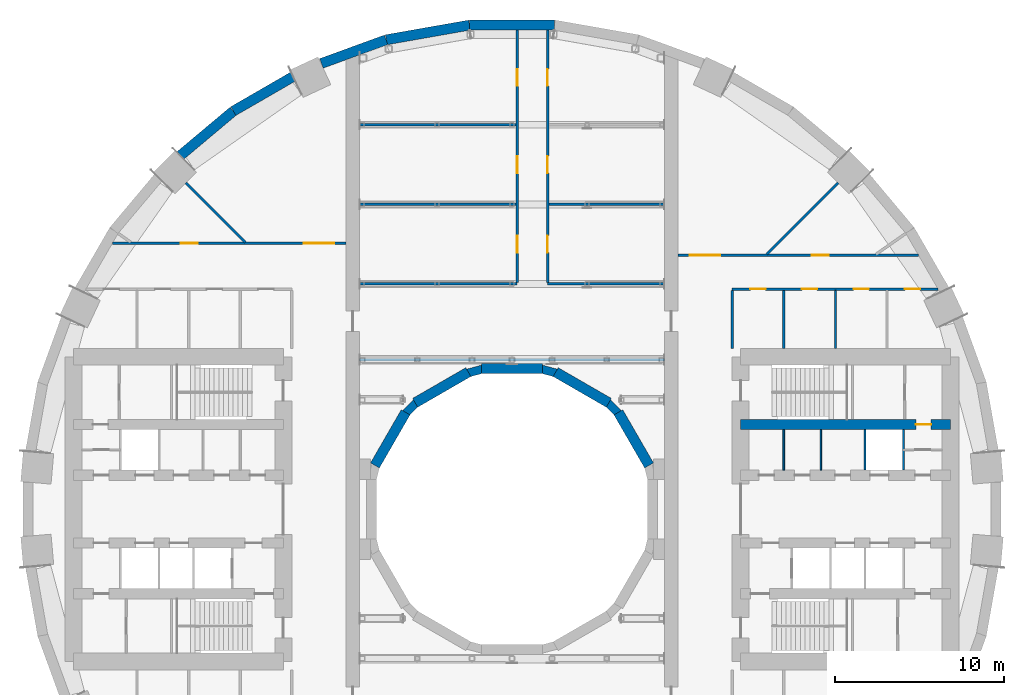
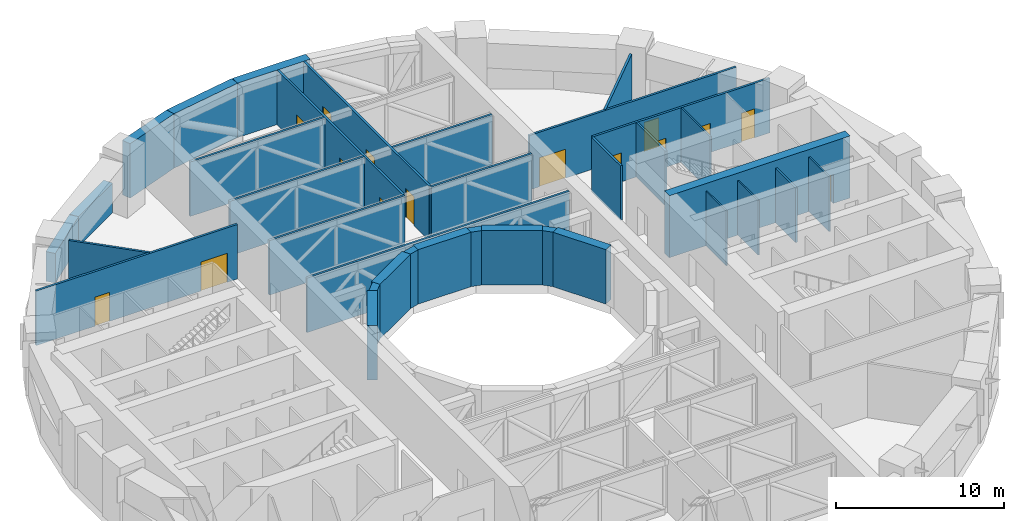
# One storey, part 17 of 21: 35 walls, 15 doors, 15 openings.
"""IFC4 building model written with IfcOpenShell, lengths in metres."""

from ifc_helpers import new_model, si_unit, direction, frame, frame_2d, origin, place, context, subcontext, project, spatial, polyline, rectangle, outline, extrude, material, layer, layer_set, type_object, element, fill, save


model = new_model("IFC4")

# Units and contexts
model_context = context("Model", 3, precision=1e-05, world=origin(), true_north=direction((0.0, 1.0)))
body_context = subcontext(model_context, "Body", "Model", "MODEL_VIEW")
ifc_project = project(units=[si_unit("LENGTHUNIT", "METRE"), si_unit("AREAUNIT", "SQUARE_METRE"), si_unit("VOLUMEUNIT", "CUBIC_METRE"), si_unit("PLANEANGLEUNIT", "RADIAN"), si_unit("MASSUNIT", "GRAM", prefix="KILO")], contexts=[model_context])

# Site, building, storey
site_placement = place(None, origin())
site = spatial("IfcSite", under=ifc_project, at=site_placement, CompositionType="ELEMENT")
building_placement = place(site_placement, origin())
building = spatial("IfcBuilding", under=site, at=building_placement, Name="Saqina Gate Tower", CompositionType="ELEMENT")
storey_placement = place(building_placement, frame((0.0, 0.0, 21.800048828125)))
storey = spatial("IfcBuildingStorey", under=building, at=storey_placement, Name="L05", CompositionType="ELEMENT", Elevation=21.800048828125)

# Walls
ifc_material_1 = material(Name="Gypsum board on steel studs", Category="steel")
ifc_layer_1 = layer(ifc_material_1, 0.10009765625)
ifc_layer_set_1 = layer_set([ifc_layer_1], Name="CORE PARTITION")
wall_type_1 = type_object("IfcWallType", Name="CORE PARTITION", PredefinedType="PARTITIONING", material=ifc_layer_set_1)
for number, where, z_axis, x_axis, name in (
    (1, (16.052001953125, 2.300048828125, 0.0), (0.0, 0.0, 1.0), (0.0, 1.0, 0.0), "L05-CP-E01"),
    (2, (18.24072265625, 2.300048828125, 0.0), (0.0, 0.0, 1.0), (0.0, 1.0, 0.0), "L05-CP-E02"),
):
    element("IfcWall", number, at=place(storey_placement, frame(where, z_axis=z_axis, x_axis=x_axis)), inside=storey, type_object=wall_type_1, Name=name, PredefinedType="PARTITIONING", context=body_context, shape_type="SweptSolid", body=[
        extrude(rectangle(XDim=2.39990234375, YDim=0.10009765625, at=frame_2d((1.199951171875, 0.0))), origin(), (0.0, 0.0, 1.0), 3.949951171875),
    ])
ifc_material_2 = material(Name="Brick masonry (red)", Category="masonry")
ifc_layer_2 = layer(ifc_material_2, 0.60009765625)
ifc_layer_set_2 = layer_set([ifc_layer_2], Name="FW-BRICK-RED")
wall_type_2 = type_object("IfcWallType", Name="FW-BRICK-RED", PredefinedType="SOLIDWALL", material=ifc_layer_set_2)
for number, where, z_axis, x_axis, name in (
    (3, (2.49755859375, 28.589599609375, 0.0), (0.0, 0.0, 1.0), (-1.0, 0.0, 0.0), "Facade wall L05 facet 9"),
    (4, (-2.5048828125, 28.589111328125, 0.0), (0.0, 0.0, 1.0), (-0.984806184402, -0.173657073462, 0.0), "Facade wall L05 facet 10"),
):
    element("IfcWall", number, at=place(storey_placement, frame(where, z_axis=z_axis, x_axis=x_axis)), inside=storey, type_object=wall_type_2, Name=name, PredefinedType="SOLIDWALL", context=body_context, shape_type="SweptSolid", body=[
        extrude(rectangle(XDim=4.9951171875, YDim=0.60009765625, at=frame_2d((2.49755859375, 0.0))), origin(), (0.0, 0.0, 1.0), 3.949951171875),
    ])
wall_1_placement = place(storey_placement, frame((-7.431396484375, 27.7197265625, 0.0), z_axis=(0.0, 0.0, 1.0), x_axis=(-0.939683013865, -0.342046536971, 0.0)))
element("IfcWall", 5, at=wall_1_placement, inside=storey, type_object=wall_type_2, Name="Facade wall L05 facet 11", PredefinedType="SOLIDWALL", context=body_context, shape_type="SweptSolid", body=[
    extrude(rectangle(XDim=4.069091796875, YDim=0.60009765625, at=frame_2d((2.03466796875, 0.0))), origin(), (0.0, 0.0, 1.0), 3.949951171875),
])
wall_2_placement = place(storey_placement, frame((-12.933837890625, 25.545166015625, 0.0), z_axis=(0.0, 0.0, 1.0), x_axis=(-0.866011732453, -0.500023678693, 0.0)))
element("IfcWall", 6, at=wall_2_placement, inside=storey, type_object=wall_type_2, Name="Facade wall L05 facet 12", PredefinedType="SOLIDWALL", context=body_context, shape_type="SweptSolid", body=[
    extrude(rectangle(XDim=4.069091796875, YDim=0.60009765625, at=frame_2d((2.03466796875, 0.0))), origin(), (0.0, 0.0, 1.0), 2.14990234375),
])
wall_3_placement = place(storey_placement, frame((-16.4638671875, 23.50634765625, 0.0), z_axis=(0.0, 0.0, 1.0), x_axis=(-0.766033337734, -0.642800844336, 0.0)))
element("IfcWall", 7, at=wall_3_placement, inside=storey, type_object=wall_type_2, Name="Facade wall L05 facet 13", PredefinedType="SOLIDWALL", context=body_context, shape_type="SweptSolid", body=[
    extrude(rectangle(XDim=4.0693359375, YDim=0.60009765625, at=frame_2d((2.03466796875, 0.0))), origin(), (0.0, 0.0, 1.0), 2.14990234375),
])
ifc_material_3 = material(Name="Glazed ceramic tile", Category="ceramic")
ifc_layer_3 = layer(ifc_material_3, 0.60009765625)
ifc_layer_set_3 = layer_set([ifc_layer_3], Name="IW-TILE")
wall_type_3 = type_object("IfcWallType", Name="IW-TILE", PredefinedType="SOLIDWALL", material=ifc_layer_set_3)
for number, where, z_axis, x_axis, name in (
    (8, (8.09423828125, 2.580322265625, 0.0), (0.0, 0.0, 1.0), (-0.499992569217, 0.866029693906, 0.0), "Well wall L05 facet 1"),
    (9, (5.7197265625, 6.28173828125, 0.0), (0.0, 0.0, 1.0), (-0.866029693906, 0.499992569217, 0.0), "Well wall L05 facet 2"),
    (10, (1.8125, 8.300048828125, 0.0), (0.0, 0.0, 1.0), (-1.0, 0.0, 0.0), "Well wall L05 facet 3"),
    (11, (-2.580322265625, 8.09423828125, 0.0), (0.0, 0.0, 1.0), (-0.866029693906, -0.499992569217, 0.0), "Well wall L05 facet 4"),
    (12, (-6.28173828125, 5.7197265625, 0.0), (0.0, 0.0, 1.0), (-0.499992569217, -0.866029693906, 0.0), "Well wall L05 facet 5"),
):
    element("IfcWall", number, at=place(storey_placement, frame(where, z_axis=z_axis, x_axis=x_axis)), inside=storey, type_object=wall_type_3, Name=name, PredefinedType="SOLIDWALL", context=body_context, shape_type="SweptSolid", body=[
        extrude(rectangle(XDim=3.625, YDim=0.60009765625, at=frame_2d((1.8125, 0.0))), origin(), (0.0, 0.0, 1.0), 3.949951171875),
    ])
ifc_material_4 = material(Name="Autoclaved aerated concrete block", Category="concrete")
ifc_layer_4 = layer(ifc_material_4, 0.1201171875)
ifc_layer_set_4 = layer_set([ifc_layer_4], Name="SHAFT PARTITION")
wall_type_4 = type_object("IfcWallType", Name="SHAFT PARTITION", PredefinedType="PARTITIONING", material=ifc_layer_set_4)
for number, where, z_axis, x_axis, name in (
    (13, (20.840087890625, 2.300048828125, 0.0), (0.0, 0.0, 1.0), (0.0, 1.0, 0.0), "L05-CP-E03"),
    (14, (23.1201171875, 2.300048828125, 0.0), (0.0, 0.0, 1.0), (0.0, 1.0, 0.0), "L05-CP-E04"),
):
    element("IfcWall", number, at=place(storey_placement, frame(where, z_axis=z_axis, x_axis=x_axis)), inside=storey, type_object=wall_type_4, Name=name, PredefinedType="PARTITIONING", context=body_context, shape_type="SweptSolid", body=[
        extrude(rectangle(XDim=2.39990234375, YDim=0.1201171875, at=frame_2d((1.199951171875, 0.0))), origin(), (0.0, 0.0, 1.0), 3.949951171875),
    ])
ifc_material_5 = material(Name="Gypsum board on steel studs, 100 mm", Category="steel")
ifc_layer_5 = layer(ifc_material_5, 0.10009765625)
ifc_layer_set_5 = layer_set([ifc_layer_5], Name="SPECIAL PARTITION 100")
wall_type_5 = type_object("IfcWallType", Name="SPECIAL PARTITION 100", PredefinedType="PARTITIONING", material=ifc_layer_set_5)
wall_4_placement = place(storey_placement, frame((19.10009765625, 9.5, 0.0), z_axis=(0.0, 0.0, 1.0), x_axis=(0.0, 1.0, 0.0)))
element("IfcWall", 15, at=wall_4_placement, inside=storey, type_object=wall_type_5, Name="PARTITION 033", PredefinedType="PARTITIONING", context=body_context, shape_type="SweptSolid", body=[
    extrude(rectangle(XDim=3.425048828125, YDim=0.10009765625, at=frame_2d((1.71240234375, 0.0))), origin(), (0.0, 0.0, 1.0), 3.949951171875),
])
ifc_material_6 = material(Name="Gypsum board on steel studs, 150 mm, fire rated", Category="steel")
ifc_layer_6 = layer(ifc_material_6, 0.14990234375)
ifc_layer_set_6 = layer_set([ifc_layer_6], Name="SPECIAL PARTITION EI 30 150")
wall_type_6 = type_object("IfcWallType", Name="SPECIAL PARTITION EI 30 150", PredefinedType="PARTITIONING", material=ifc_layer_set_6)
wall_5_placement = place(storey_placement, frame((-9.0, 8.820068359375, 0.0), z_axis=(0.0, 0.0, 1.0), x_axis=(1.0, 0.0, 0.0)))
element("IfcWall", 16, at=wall_5_placement, inside=storey, type_object=wall_type_6, Name="PARTITION 016", PredefinedType="PARTITIONING", context=body_context, shape_type="SweptSolid", body=[
    extrude(rectangle(XDim=18.0, YDim=0.14990234375, at=frame_2d((9.0, 0.0))), origin(), (0.0, 0.0, 1.0), 3.949951171875),
])
ifc_material_7 = material(Name="Masonry block and plaster, 150 mm, fire rated", Category="masonry")
ifc_layer_7 = layer(ifc_material_7, 0.14990234375)
ifc_layer_set_7 = layer_set([ifc_layer_7], Name="SPECIAL PARTITION EI 60 150")
wall_type_7 = type_object("IfcWallType", Name="SPECIAL PARTITION EI 60 150", PredefinedType="PARTITIONING", material=ifc_layer_set_7)
wall_6_placement = place(storey_placement, frame((-19.26171875, 19.26171875, 0.0), z_axis=(0.0, 0.0, 1.0), x_axis=(0.707180580359, -0.707032974311, 0.0)))
element("IfcWall", 17, at=wall_6_placement, inside=storey, type_object=wall_type_7, Name="PARTITION 001", PredefinedType="PARTITIONING", context=body_context, shape_type="SweptSolid", body=[
    extrude(rectangle(XDim=4.9619140625, YDim=0.14990234375, at=frame_2d((2.48095703125, 0.0))), origin(), (0.0, 0.0, 1.0), 3.949951171875),
])

# Wall, openings, doors
wall_7_placement = place(storey_placement, frame((13.0, 13.0, 0.0), z_axis=(0.0, 0.0, 1.0), x_axis=(1.0, 0.0, 0.0)))
wall_7 = element("IfcWall", 18, at=wall_7_placement, inside=storey, type_object=wall_type_7, Name="PARTITION 018", PredefinedType="PARTITIONING", context=body_context, shape_type="SweptSolid", body=[
    extrude(rectangle(XDim=12.159912109375, YDim=0.14990234375, at=frame_2d((6.080078125, 0.0))), origin(), (0.0, 0.0, 1.0), 3.949951171875),
])
opening_1_placement = place(wall_7_placement, frame((10.205078125, 0.0, 0.0)))
opening_1 = element("IfcOpeningElement", 19, at=opening_1_placement, cuts=wall_7, Name="Opening L05-D01", PredefinedType="OPENING", context=body_context, shape_type="SweptSolid", body=[
    extrude(rectangle(XDim=0.89990234375, YDim=2.10009765625, at=frame_2d((0.449951171875, 1.050048828125))), frame((0.0, 0.0869140625, 0.0), z_axis=(0.0, -1.0, 0.0), x_axis=(1.0, 0.0, 0.0)), (0.0, 0.0, 1.0), 0.173828125),
])
opening_2_placement = place(wall_7_placement, frame((7.175048828125, 0.0, 0.0)))
opening_2 = element("IfcOpeningElement", 20, at=opening_2_placement, cuts=wall_7, Name="Opening L05-D02", PredefinedType="OPENING", context=body_context, shape_type="SweptSolid", body=[
    extrude(rectangle(XDim=0.89990234375, YDim=2.10009765625, at=frame_2d((0.449951171875, 1.050048828125))), frame((0.0, 0.0869140625, 0.0), z_axis=(0.0, -1.0, 0.0), x_axis=(1.0, 0.0, 0.0)), (0.0, 0.0, 1.0), 0.173828125),
])
opening_3_placement = place(wall_7_placement, frame((4.125, 0.0, 0.0)))
opening_3 = element("IfcOpeningElement", 21, at=opening_3_placement, cuts=wall_7, Name="Opening L05-D03", PredefinedType="OPENING", context=body_context, shape_type="SweptSolid", body=[
    extrude(rectangle(XDim=0.89990234375, YDim=2.10009765625, at=frame_2d((0.449951171875, 1.050048828125))), frame((0.0, 0.0869140625, 0.0), z_axis=(0.0, -1.0, 0.0), x_axis=(1.0, 0.0, 0.0)), (0.0, 0.0, 1.0), 0.173828125),
])
opening_4_placement = place(wall_7_placement, frame((1.074951171875, 0.0, 0.0)))
opening_4 = element("IfcOpeningElement", 22, at=opening_4_placement, cuts=wall_7, Name="Opening L05-D05", PredefinedType="OPENING", context=body_context, shape_type="SweptSolid", body=[
    extrude(rectangle(XDim=0.89990234375, YDim=2.10009765625, at=frame_2d((0.449951171875, 1.050048828125))), frame((0.0, 0.0869140625, 0.0), z_axis=(0.0, -1.0, 0.0), x_axis=(1.0, 0.0, 0.0)), (0.0, 0.0, 1.0), 0.173828125),
])
ifc_material_8 = material(Name="Steel-framed fire door leaf, EI 60", Category="steel")
door_type_1 = type_object("IfcDoorType", Name="SPECIAL DOOR 900 FIRE EI 60", OperationType="SINGLE_SWING_LEFT", PredefinedType="DOOR", material=ifc_material_8)
door_1_placement = place(opening_1_placement, frame((0.89990234375, 0.0, 0.0), z_axis=(0.0, 0.0, 1.0), x_axis=(-1.0, 0.0, 0.0)))
door_1 = element("IfcDoor", 23, at=door_1_placement, inside=storey, type_object=door_type_1, Name="DOOR L05-D01", OperationType="SINGLE_SWING_LEFT", OverallHeight=2.10009765625, OverallWidth=0.89990234375, PredefinedType="DOOR", context=body_context, shape_type="SweptSolid", body=[
    extrude(rectangle(XDim=0.89990234375, YDim=2.10009765625, at=frame_2d((0.449951171875, 1.050048828125))), frame((0.0, 0.02490234375, 0.0), z_axis=(0.0, -1.0, 0.0), x_axis=(1.0, 0.0, 0.0)), (0.0, 0.0, 1.0), 0.050048828125),
])
fill(opening_1, door_1)
door_2_placement = place(opening_2_placement, frame((0.89990234375, 0.0, 0.0), z_axis=(0.0, 0.0, 1.0), x_axis=(-1.0, 0.0, 0.0)))
door_2 = element("IfcDoor", 24, at=door_2_placement, inside=storey, type_object=door_type_1, Name="DOOR L05-D02", OperationType="SINGLE_SWING_LEFT", OverallHeight=2.10009765625, OverallWidth=0.89990234375, PredefinedType="DOOR", context=body_context, shape_type="SweptSolid", body=[
    extrude(rectangle(XDim=0.89990234375, YDim=2.10009765625, at=frame_2d((0.449951171875, 1.050048828125))), frame((0.0, 0.02490234375, 0.0), z_axis=(0.0, -1.0, 0.0), x_axis=(1.0, 0.0, 0.0)), (0.0, 0.0, 1.0), 0.050048828125),
])
fill(opening_2, door_2)
door_3_placement = place(opening_3_placement, frame((0.89990234375, 0.0, 0.0), z_axis=(0.0, 0.0, 1.0), x_axis=(-1.0, 0.0, 0.0)))
door_3 = element("IfcDoor", 25, at=door_3_placement, inside=storey, type_object=door_type_1, Name="DOOR L05-D03", OperationType="SINGLE_SWING_RIGHT", OverallHeight=2.10009765625, OverallWidth=0.89990234375, PredefinedType="DOOR", context=body_context, shape_type="SweptSolid", body=[
    extrude(rectangle(XDim=0.89990234375, YDim=2.10009765625, at=frame_2d((0.449951171875, 1.050048828125))), frame((0.0, 0.02490234375, 0.0), z_axis=(0.0, -1.0, 0.0), x_axis=(1.0, 0.0, 0.0)), (0.0, 0.0, 1.0), 0.050048828125),
])
fill(opening_3, door_3)
door_4_placement = place(opening_4_placement, frame((0.89990234375, 0.0, 0.0), z_axis=(0.0, 0.0, 1.0), x_axis=(-1.0, 0.0, 0.0)))
door_4 = element("IfcDoor", 26, at=door_4_placement, inside=storey, type_object=door_type_1, Name="DOOR L05-D05", OperationType="SINGLE_SWING_RIGHT", OverallHeight=2.10009765625, OverallWidth=0.89990234375, PredefinedType="DOOR", context=body_context, shape_type="SweptSolid", body=[
    extrude(rectangle(XDim=0.89990234375, YDim=2.10009765625, at=frame_2d((0.449951171875, 1.050048828125))), frame((0.0, 0.02490234375, 0.0), z_axis=(0.0, -1.0, 0.0), x_axis=(1.0, 0.0, 0.0)), (0.0, 0.0, 1.0), 0.050048828125),
])
fill(opening_4, door_4)

# Walls
wall_8_placement = place(storey_placement, frame((-9.0, 13.300048828125, 0.0), z_axis=(0.0, 0.0, 1.0), x_axis=(1.0, 0.0, 0.0)))
element("IfcWall", 27, at=wall_8_placement, inside=storey, type_object=wall_type_7, Name="PARTITION 019", PredefinedType="PARTITIONING", context=body_context, shape_type="SweptSolid", body=[
    extrude(rectangle(XDim=9.300048828125, YDim=0.14990234375, at=frame_2d((4.64990234375, 0.0))), origin(), (0.0, 0.0, 1.0), 3.949951171875),
])
wall_9_placement = place(storey_placement, frame((2.10009765625, 13.300048828125, 0.0), z_axis=(0.0, 0.0, 1.0), x_axis=(1.0, 0.0, 0.0)))
element("IfcWall", 28, at=wall_9_placement, inside=storey, type_object=wall_type_7, Name="PARTITION 020", PredefinedType="PARTITIONING", context=body_context, shape_type="SweptSolid", body=[
    extrude(rectangle(XDim=6.89990234375, YDim=0.14990234375, at=frame_2d((3.449951171875, 0.0))), origin(), (0.0, 0.0, 1.0), 3.949951171875),
])

# Wall, openings, doors
wall_10_placement = place(storey_placement, frame((9.800048828125, 15.0, 0.0), z_axis=(0.0, 0.0, 1.0), x_axis=(1.0, 0.0, 0.0)))
wall_10 = element("IfcWall", 29, at=wall_10_placement, inside=storey, type_object=wall_type_7, Name="PARTITION 021", PredefinedType="PARTITIONING", context=body_context, shape_type="SweptSolid", body=[
    extrude(rectangle(XDim=14.2060546875, YDim=0.14990234375, at=frame_2d((7.10302734375, 0.0))), origin(), (0.0, 0.0, 1.0), 3.949951171875),
])
opening_5_placement = place(wall_10_placement, frame((7.910888671875, 0.0, 0.0)))
opening_5 = element("IfcOpeningElement", 30, at=opening_5_placement, cuts=wall_10, Name="Opening L05-D04", PredefinedType="OPENING", context=body_context, shape_type="SweptSolid", body=[
    extrude(rectangle(XDim=1.0, YDim=2.10009765625, at=frame_2d((0.5, 1.050048828125))), frame((0.0, 0.0869140625, 0.0), z_axis=(0.0, -1.0, 0.0), x_axis=(1.0, 0.0, 0.0)), (0.0, 0.0, 1.0), 0.173828125),
])
opening_6_placement = place(wall_10_placement, frame((0.701904296875, 0.0, 0.0)))
opening_6 = element("IfcOpeningElement", 31, at=opening_6_placement, cuts=wall_10, Name="Opening L05-D06", PredefinedType="OPENING", context=body_context, shape_type="SweptSolid", body=[
    extrude(rectangle(XDim=1.800048828125, YDim=2.10009765625, at=frame_2d((0.89990234375, 1.050048828125))), frame((0.0, 0.0869140625, 0.0), z_axis=(0.0, -1.0, 0.0), x_axis=(1.0, 0.0, 0.0)), (0.0, 0.0, 1.0), 0.173828125),
])
ifc_material_9 = material(Name="Steel-framed fire door leaf, EI 60", Category="steel")
door_type_2 = type_object("IfcDoorType", Name="SPECIAL DOOR 1000 FIRE EI 60", OperationType="SINGLE_SWING_LEFT", PredefinedType="DOOR", material=ifc_material_9)
door_5_placement = place(opening_5_placement, origin())
door_5 = element("IfcDoor", 32, at=door_5_placement, inside=storey, type_object=door_type_2, Name="DOOR L05-D04", OperationType="SINGLE_SWING_RIGHT", OverallHeight=2.10009765625, OverallWidth=1.0, PredefinedType="DOOR", context=body_context, shape_type="SweptSolid", body=[
    extrude(rectangle(XDim=1.0, YDim=2.10009765625, at=frame_2d((0.5, 1.050048828125))), frame((0.0, 0.02490234375, 0.0), z_axis=(0.0, -1.0, 0.0), x_axis=(1.0, 0.0, 0.0)), (0.0, 0.0, 1.0), 0.050048828125),
])
fill(opening_5, door_5)
ifc_material_10 = material(Name="Steel-framed fire door leaf, EI 60", Category="steel")
door_type_3 = type_object("IfcDoorType", Name="SPECIAL DOUBLE DOOR 1800 FIRE EI 60", OperationType="DOUBLE_DOOR_SINGLE_SWING", PredefinedType="DOOR", material=ifc_material_10)
door_6_placement = place(opening_6_placement, frame((1.800048828125, 0.0, 0.0), z_axis=(0.0, 0.0, 1.0), x_axis=(-1.0, 0.0, 0.0)))
door_6 = element("IfcDoor", 33, at=door_6_placement, inside=storey, type_object=door_type_3, Name="DOOR L05-D06", OperationType="DOUBLE_DOOR_SINGLE_SWING", OverallHeight=2.10009765625, OverallWidth=1.800048828125, PredefinedType="DOOR", context=body_context, shape_type="SweptSolid", body=[
    extrude(rectangle(XDim=1.800048828125, YDim=2.10009765625, at=frame_2d((0.89990234375, 1.050048828125))), frame((0.0, 0.02490234375, 0.0), z_axis=(0.0, -1.0, 0.0), x_axis=(1.0, 0.0, 0.0)), (0.0, 0.0, 1.0), 0.050048828125),
])
fill(opening_6, door_6)

wall_11_placement = place(storey_placement, frame((-23.60107421875, 15.699951171875, 0.0), z_axis=(0.0, 0.0, 1.0), x_axis=(1.0, 0.0, 0.0)))
wall_11 = element("IfcWall", 34, at=wall_11_placement, inside=storey, type_object=wall_type_7, Name="PARTITION 022", PredefinedType="PARTITIONING", context=body_context, shape_type="SweptSolid", body=[
    extrude(rectangle(XDim=13.801025390625, YDim=0.14990234375, at=frame_2d((6.900390625, 0.0))), origin(), (0.0, 0.0, 1.0), 3.949951171875),
])
opening_7_placement = place(wall_11_placement, frame((11.299072265625, 0.0, 0.0)))
opening_7 = element("IfcOpeningElement", 35, at=opening_7_placement, cuts=wall_11, Name="Opening L05-D13", PredefinedType="OPENING", context=body_context, shape_type="SweptSolid", body=[
    extrude(rectangle(XDim=1.800048828125, YDim=2.10009765625, at=frame_2d((0.89990234375, 1.050048828125))), frame((0.0, 0.0869140625, 0.0), z_axis=(0.0, -1.0, 0.0), x_axis=(1.0, 0.0, 0.0)), (0.0, 0.0, 1.0), 0.173828125),
])
opening_8_placement = place(wall_11_placement, frame((4.0400390625, 0.0, 0.0)))
opening_8 = element("IfcOpeningElement", 36, at=opening_8_placement, cuts=wall_11, Name="Opening L05-D15", PredefinedType="OPENING", context=body_context, shape_type="SweptSolid", body=[
    extrude(rectangle(XDim=1.0, YDim=2.10009765625, at=frame_2d((0.5, 1.050048828125))), frame((0.0, 0.0869140625, 0.0), z_axis=(0.0, -1.0, 0.0), x_axis=(1.0, 0.0, 0.0)), (0.0, 0.0, 1.0), 0.173828125),
])
door_7_placement = place(opening_8_placement, origin())
door_7 = element("IfcDoor", 37, at=door_7_placement, inside=storey, type_object=door_type_2, Name="DOOR L05-D15", OperationType="SINGLE_SWING_LEFT", OverallHeight=2.10009765625, OverallWidth=1.0, PredefinedType="DOOR", context=body_context, shape_type="SweptSolid", body=[
    extrude(rectangle(XDim=1.0, YDim=2.10009765625, at=frame_2d((0.5, 1.050048828125))), frame((0.0, 0.02490234375, 0.0), z_axis=(0.0, -1.0, 0.0), x_axis=(1.0, 0.0, 0.0)), (0.0, 0.0, 1.0), 0.050048828125),
])
fill(opening_8, door_7)
door_8_placement = place(opening_7_placement, frame((1.800048828125, 0.0, 0.0), z_axis=(0.0, 0.0, 1.0), x_axis=(-1.0, 0.0, 0.0)))
door_8 = element("IfcDoor", 38, at=door_8_placement, inside=storey, type_object=door_type_3, Name="DOOR L05-D13", OperationType="DOUBLE_DOOR_SINGLE_SWING", OverallHeight=2.10009765625, OverallWidth=1.800048828125, PredefinedType="DOOR", context=body_context, shape_type="SweptSolid", body=[
    extrude(rectangle(XDim=1.800048828125, YDim=2.10009765625, at=frame_2d((0.89990234375, 1.050048828125))), frame((0.0, 0.02490234375, 0.0), z_axis=(0.0, -1.0, 0.0), x_axis=(1.0, 0.0, 0.0)), (0.0, 0.0, 1.0), 0.050048828125),
])
fill(opening_7, door_8)

# Walls
wall_12_placement = place(storey_placement, frame((-9.0, 18.0, 0.0), z_axis=(0.0, 0.0, 1.0), x_axis=(1.0, 0.0, 0.0)))
element("IfcWall", 39, at=wall_12_placement, inside=storey, type_object=wall_type_7, Name="PARTITION 023", PredefinedType="PARTITIONING", context=body_context, shape_type="SweptSolid", body=[
    extrude(rectangle(XDim=9.22509765625, YDim=0.14990234375, at=frame_2d((4.612548828125, 0.0))), origin(), (0.0, 0.0, 1.0), 3.949951171875),
])
wall_13_placement = place(storey_placement, frame((2.175048828125, 18.0, 0.0), z_axis=(0.0, 0.0, 1.0), x_axis=(1.0, 0.0, 0.0)))
element("IfcWall", 40, at=wall_13_placement, inside=storey, type_object=wall_type_7, Name="PARTITION 024", PredefinedType="PARTITIONING", context=body_context, shape_type="SweptSolid", body=[
    extrude(rectangle(XDim=6.824951171875, YDim=0.14990234375, at=frame_2d((3.41259765625, 0.0))), origin(), (0.0, 0.0, 1.0), 3.949951171875),
])
wall_14_placement = place(storey_placement, frame((-9.0, 22.699951171875, 0.0), z_axis=(0.0, 0.0, 1.0), x_axis=(1.0, 0.0, 0.0)))
element("IfcWall", 41, at=wall_14_placement, inside=storey, type_object=wall_type_7, Name="PARTITION 025", PredefinedType="PARTITIONING", context=body_context, shape_type="SweptSolid", body=[
    extrude(rectangle(XDim=9.22509765625, YDim=0.14990234375, at=frame_2d((4.612548828125, 0.0))), origin(), (0.0, 0.0, 1.0), 3.949951171875),
])
wall_15_placement = place(storey_placement, frame((15.052978515625, 15.052978515625, 0.0), z_axis=(0.0, 0.0, 1.0), x_axis=(0.707106781187, 0.707106781187, 0.0)))
element("IfcWall", 42, at=wall_15_placement, inside=storey, type_object=wall_type_7, Name="PARTITION 030", PredefinedType="PARTITIONING", context=body_context, shape_type="SweptSolid", body=[
    extrude(rectangle(XDim=5.9521484375, YDim=0.14990234375, at=frame_2d((2.97607421875, 0.0))), origin(), (0.0, 0.0, 1.0), 3.949951171875),
])
for number, where, z_axis, x_axis, name in (
    (43, (16.050048828125, 9.5, 0.0), (0.0, 0.0, 1.0), (0.0, 1.0, 0.0), "PARTITION 036"),
    (44, (13.0, 9.5, 0.0), (0.0, 0.0, 1.0), (0.0, 1.0, 0.0), "PARTITION 038"),
):
    element("IfcWall", number, at=place(storey_placement, frame(where, z_axis=z_axis, x_axis=x_axis)), inside=storey, type_object=wall_type_7, Name=name, PredefinedType="PARTITIONING", context=body_context, shape_type="SweptSolid", body=[
        extrude(rectangle(XDim=3.425048828125, YDim=0.14990234375, at=frame_2d((1.71240234375, 0.0))), origin(), (0.0, 0.0, 1.0), 3.949951171875),
    ])

# Wall, openings, doors
wall_16_placement = place(storey_placement, frame((2.10009765625, 13.375, 0.0), z_axis=(0.0, 0.0, 1.0), x_axis=(0.0, 1.0, 0.0)))
wall_16 = element("IfcWall", 45, at=wall_16_placement, inside=storey, type_object=wall_type_7, Name="PARTITION 040", PredefinedType="PARTITIONING", context=body_context, shape_type="SweptSolid", body=[
    extrude(rectangle(XDim=14.9150390625, YDim=0.14990234375, at=frame_2d((7.45751953125, 0.0))), origin(), (0.0, 0.0, 1.0), 3.949951171875),
])
opening_9_placement = place(wall_16_placement, frame((1.77490234375, 0.0, 0.0)))
opening_9 = element("IfcOpeningElement", 46, at=opening_9_placement, cuts=wall_16, Name="Opening L05-D07", PredefinedType="OPENING", context=body_context, shape_type="SweptSolid", body=[
    extrude(rectangle(XDim=1.0, YDim=2.10009765625, at=frame_2d((0.5, 1.050048828125))), frame((0.0, 0.0869140625, 0.0), z_axis=(0.0, -1.0, 0.0), x_axis=(1.0, 0.0, 0.0)), (0.0, 0.0, 1.0), 0.173828125),
])
opening_10_placement = place(wall_16_placement, frame((6.47509765625, 0.0, 0.0)))
opening_10 = element("IfcOpeningElement", 47, at=opening_10_placement, cuts=wall_16, Name="Opening L05-D08", PredefinedType="OPENING", context=body_context, shape_type="SweptSolid", body=[
    extrude(rectangle(XDim=1.0, YDim=2.10009765625, at=frame_2d((0.5, 1.050048828125))), frame((0.0, 0.0869140625, 0.0), z_axis=(0.0, -1.0, 0.0), x_axis=(1.0, 0.0, 0.0)), (0.0, 0.0, 1.0), 0.173828125),
])
opening_11_placement = place(wall_16_placement, frame((11.6201171875, 0.0, 0.0)))
opening_11 = element("IfcOpeningElement", 48, at=opening_11_placement, cuts=wall_16, Name="Opening L05-D09", PredefinedType="OPENING", context=body_context, shape_type="SweptSolid", body=[
    extrude(rectangle(XDim=1.0, YDim=2.10009765625, at=frame_2d((0.5, 1.050048828125))), frame((0.0, 0.0869140625, 0.0), z_axis=(0.0, -1.0, 0.0), x_axis=(1.0, 0.0, 0.0)), (0.0, 0.0, 1.0), 0.173828125),
])
door_9_placement = place(opening_9_placement, frame((1.0, 0.0, 0.0), z_axis=(0.0, 0.0, 1.0), x_axis=(-1.0, 0.0, 0.0)))
door_9 = element("IfcDoor", 49, at=door_9_placement, inside=storey, type_object=door_type_2, Name="DOOR L05-D07", OperationType="SINGLE_SWING_RIGHT", OverallHeight=2.10009765625, OverallWidth=1.0, PredefinedType="DOOR", context=body_context, shape_type="SweptSolid", body=[
    extrude(rectangle(XDim=1.0, YDim=2.10009765625, at=frame_2d((0.5, 1.050048828125))), frame((0.0, 0.02490234375, 0.0), z_axis=(0.0, -1.0, 0.0), x_axis=(1.0, 0.0, 0.0)), (0.0, 0.0, 1.0), 0.050048828125),
])
fill(opening_9, door_9)
door_10_placement = place(opening_10_placement, frame((1.0, 0.0, 0.0), z_axis=(0.0, 0.0, 1.0), x_axis=(-1.0, 0.0, 0.0)))
door_10 = element("IfcDoor", 50, at=door_10_placement, inside=storey, type_object=door_type_2, Name="DOOR L05-D08", OperationType="SINGLE_SWING_RIGHT", OverallHeight=2.10009765625, OverallWidth=1.0, PredefinedType="DOOR", context=body_context, shape_type="SweptSolid", body=[
    extrude(rectangle(XDim=1.0, YDim=2.10009765625, at=frame_2d((0.5, 1.050048828125))), frame((0.0, 0.02490234375, 0.0), z_axis=(0.0, -1.0, 0.0), x_axis=(1.0, 0.0, 0.0)), (0.0, 0.0, 1.0), 0.050048828125),
])
fill(opening_10, door_10)
door_11_placement = place(opening_11_placement, frame((1.0, 0.0, 0.0), z_axis=(0.0, 0.0, 1.0), x_axis=(-1.0, 0.0, 0.0)))
door_11 = element("IfcDoor", 51, at=door_11_placement, inside=storey, type_object=door_type_2, Name="DOOR L05-D09", OperationType="SINGLE_SWING_LEFT", OverallHeight=2.10009765625, OverallWidth=1.0, PredefinedType="DOOR", context=body_context, shape_type="SweptSolid", body=[
    extrude(rectangle(XDim=1.0, YDim=2.10009765625, at=frame_2d((0.5, 1.050048828125))), frame((0.0, 0.02490234375, 0.0), z_axis=(0.0, -1.0, 0.0), x_axis=(1.0, 0.0, 0.0)), (0.0, 0.0, 1.0), 0.050048828125),
])
fill(opening_11, door_11)

wall_17_placement = place(storey_placement, frame((0.300048828125, 13.375, 0.0), z_axis=(0.0, 0.0, 1.0), x_axis=(0.0, 1.0, 0.0)))
wall_17 = element("IfcWall", 52, at=wall_17_placement, inside=storey, type_object=wall_type_7, Name="PARTITION 042", PredefinedType="PARTITIONING", context=body_context, shape_type="SweptSolid", body=[
    extrude(rectangle(XDim=14.9150390625, YDim=0.14990234375, at=frame_2d((7.45751953125, 0.0))), origin(), (0.0, 0.0, 1.0), 3.949951171875),
])
opening_12_placement = place(wall_17_placement, frame((1.77490234375, 0.0, 0.0)))
opening_12 = element("IfcOpeningElement", 53, at=opening_12_placement, cuts=wall_17, Name="Opening L05-D10", PredefinedType="OPENING", context=body_context, shape_type="SweptSolid", body=[
    extrude(rectangle(XDim=1.0, YDim=2.10009765625, at=frame_2d((0.5, 1.050048828125))), frame((0.0, 0.0869140625, 0.0), z_axis=(0.0, -1.0, 0.0), x_axis=(1.0, 0.0, 0.0)), (0.0, 0.0, 1.0), 0.173828125),
])
opening_13_placement = place(wall_17_placement, frame((6.47509765625, 0.0, 0.0)))
opening_13 = element("IfcOpeningElement", 54, at=opening_13_placement, cuts=wall_17, Name="Opening L05-D11", PredefinedType="OPENING", context=body_context, shape_type="SweptSolid", body=[
    extrude(rectangle(XDim=1.0, YDim=2.10009765625, at=frame_2d((0.5, 1.050048828125))), frame((0.0, 0.0869140625, 0.0), z_axis=(0.0, -1.0, 0.0), x_axis=(1.0, 0.0, 0.0)), (0.0, 0.0, 1.0), 0.173828125),
])
opening_14_placement = place(wall_17_placement, frame((11.6201171875, 0.0, 0.0)))
opening_14 = element("IfcOpeningElement", 55, at=opening_14_placement, cuts=wall_17, Name="Opening L05-D12", PredefinedType="OPENING", context=body_context, shape_type="SweptSolid", body=[
    extrude(rectangle(XDim=1.0, YDim=2.10009765625, at=frame_2d((0.5, 1.050048828125))), frame((0.0, 0.0869140625, 0.0), z_axis=(0.0, -1.0, 0.0), x_axis=(1.0, 0.0, 0.0)), (0.0, 0.0, 1.0), 0.173828125),
])
door_12_placement = place(opening_12_placement, origin())
door_12 = element("IfcDoor", 56, at=door_12_placement, inside=storey, type_object=door_type_2, Name="DOOR L05-D10", OperationType="SINGLE_SWING_LEFT", OverallHeight=2.10009765625, OverallWidth=1.0, PredefinedType="DOOR", context=body_context, shape_type="SweptSolid", body=[
    extrude(rectangle(XDim=1.0, YDim=2.10009765625, at=frame_2d((0.5, 1.050048828125))), frame((0.0, 0.02490234375, 0.0), z_axis=(0.0, -1.0, 0.0), x_axis=(1.0, 0.0, 0.0)), (0.0, 0.0, 1.0), 0.050048828125),
])
fill(opening_12, door_12)
door_13_placement = place(opening_13_placement, origin())
door_13 = element("IfcDoor", 57, at=door_13_placement, inside=storey, type_object=door_type_2, Name="DOOR L05-D11", OperationType="SINGLE_SWING_LEFT", OverallHeight=2.10009765625, OverallWidth=1.0, PredefinedType="DOOR", context=body_context, shape_type="SweptSolid", body=[
    extrude(rectangle(XDim=1.0, YDim=2.10009765625, at=frame_2d((0.5, 1.050048828125))), frame((0.0, 0.02490234375, 0.0), z_axis=(0.0, -1.0, 0.0), x_axis=(1.0, 0.0, 0.0)), (0.0, 0.0, 1.0), 0.050048828125),
])
fill(opening_13, door_13)
door_14_placement = place(opening_14_placement, origin())
door_14 = element("IfcDoor", 58, at=door_14_placement, inside=storey, type_object=door_type_2, Name="DOOR L05-D12", OperationType="SINGLE_SWING_RIGHT", OverallHeight=2.10009765625, OverallWidth=1.0, PredefinedType="DOOR", context=body_context, shape_type="SweptSolid", body=[
    extrude(rectangle(XDim=1.0, YDim=2.10009765625, at=frame_2d((0.5, 1.050048828125))), frame((0.0, 0.02490234375, 0.0), z_axis=(0.0, -1.0, 0.0), x_axis=(1.0, 0.0, 0.0)), (0.0, 0.0, 1.0), 0.050048828125),
])
fill(opening_14, door_14)

# Wall, opening, door
ifc_material_11 = material(Name="Concrete C70/85", Category="concrete")
ifc_layer_8 = layer(ifc_material_11, 0.60009765625)
ifc_layer_set_8 = layer_set([ifc_layer_8], Name="Concrete C70/85")
wall_type_8 = type_object("IfcWallType", Name="STR-CORE WALL-P-I", PredefinedType="SHEAR", material=ifc_layer_set_8)
wall_18_placement = place(storey_placement, frame((13.5, 5.0, 0.0), z_axis=(0.0, 0.0, 1.0), x_axis=(1.0, 0.0, 0.0)))
wall_18 = element("IfcWall", 59, at=wall_18_placement, inside=storey, type_object=wall_type_8, Name="CORE WALL L05 E-X1", PredefinedType="SHEAR", context=body_context, shape_type="SweptSolid", body=[
    extrude(rectangle(XDim=12.39990234375, YDim=0.60009765625, at=frame_2d((6.199951171875, 0.0))), origin(), (0.0, 0.0, 1.0), 4.5),
])
opening_15_placement = place(wall_18_placement, frame((10.349609375, 0.0, 0.0)))
opening_15 = element("IfcOpeningElement", 60, at=opening_15_placement, cuts=wall_18, Name="Opening L05-D98", PredefinedType="OPENING", context=body_context, shape_type="SweptSolid", body=[
    extrude(rectangle(XDim=0.89990234375, YDim=2.10009765625, at=frame_2d((0.449951171875, 1.050048828125))), frame((0.0, 0.31201171875, 0.0), z_axis=(0.0, -1.0, 0.0), x_axis=(1.0, 0.0, 0.0)), (0.0, 0.0, 1.0), 0.6240234375),
])
ifc_material_12 = material(Name="Steel-framed fire door leaf, EI 60", Category="steel")
door_type_4 = type_object("IfcDoorType", Name="SERVICE ROOM DOOR 900", OperationType="SINGLE_SWING_LEFT", PredefinedType="DOOR", material=ifc_material_12)
door_15_placement = place(opening_15_placement, origin())
door_15 = element("IfcDoor", 61, at=door_15_placement, inside=storey, type_object=door_type_4, Name="L05-CD-E09", OperationType="SINGLE_SWING_RIGHT", OverallHeight=2.10009765625, OverallWidth=0.89990234375, PredefinedType="DOOR", context=body_context, shape_type="SweptSolid", body=[
    extrude(rectangle(XDim=0.89990234375, YDim=2.10009765625, at=frame_2d((0.449951171875, 1.050048828125))), frame((0.0, 0.02490234375, 0.0), z_axis=(0.0, -1.0, 0.0), x_axis=(1.0, 0.0, 0.0)), (0.0, 0.0, 1.0), 0.050048828125),
])
fill(opening_15, door_15)

# Walls
ifc_material_13 = material(Name="Glazed ceramic tile", Category="ceramic")
wall_type_9 = type_object("IfcWallType", Name="TILE PIER COPING", PredefinedType="SOLIDWALL", material=ifc_material_13)
wall_19_placement = place(storey_placement, origin())
element("IfcWall", 62, at=wall_19_placement, inside=storey, type_object=wall_type_9, Name="Well pier cap L05 column 2", PredefinedType="SOLIDWALL", context=body_context, shape_type="SweptSolid", body=[
    extrude(outline(polyline([(5.821044921875, 6.45751953125), (5.569580078125, 6.02197265625), (6.02197265625, 5.569580078125), (6.45751953125, 5.821044921875), (5.821044921875, 6.45751953125)])), origin(), (0.0, 0.0, 1.0), 3.949951171875),
])
wall_20_placement = place(storey_placement, origin())
element("IfcWall", 63, at=wall_20_placement, inside=storey, type_object=wall_type_9, Name="Well pier cap L05 column 3", PredefinedType="SOLIDWALL", context=body_context, shape_type="SweptSolid", body=[
    extrude(outline(polyline([(1.8125, 8.502685546875), (1.8125, 8.0), (2.430419921875, 7.83447265625), (2.681884765625, 8.27001953125), (1.8125, 8.502685546875)])), origin(), (0.0, 0.0, 1.0), 3.949951171875),
])
wall_21_placement = place(storey_placement, origin())
element("IfcWall", 64, at=wall_21_placement, inside=storey, type_object=wall_type_9, Name="Well pier cap L05 column 4", PredefinedType="SOLIDWALL", context=body_context, shape_type="SweptSolid", body=[
    extrude(outline(polyline([(-2.681884765625, 8.27001953125), (-2.430419921875, 7.83447265625), (-1.8125, 8.0), (-1.8125, 8.502685546875), (-2.681884765625, 8.27001953125)])), origin(), (0.0, 0.0, 1.0), 3.949951171875),
])
wall_22_placement = place(storey_placement, origin())
element("IfcWall", 65, at=wall_22_placement, inside=storey, type_object=wall_type_9, Name="Well pier cap L05 column 5", PredefinedType="SOLIDWALL", context=body_context, shape_type="SweptSolid", body=[
    extrude(outline(polyline([(-6.45751953125, 5.821044921875), (-6.02197265625, 5.569580078125), (-5.569580078125, 6.02197265625), (-5.821044921875, 6.45751953125), (-6.45751953125, 5.821044921875)])), origin(), (0.0, 0.0, 1.0), 3.949951171875),
])

save(model, "model.ifc")
